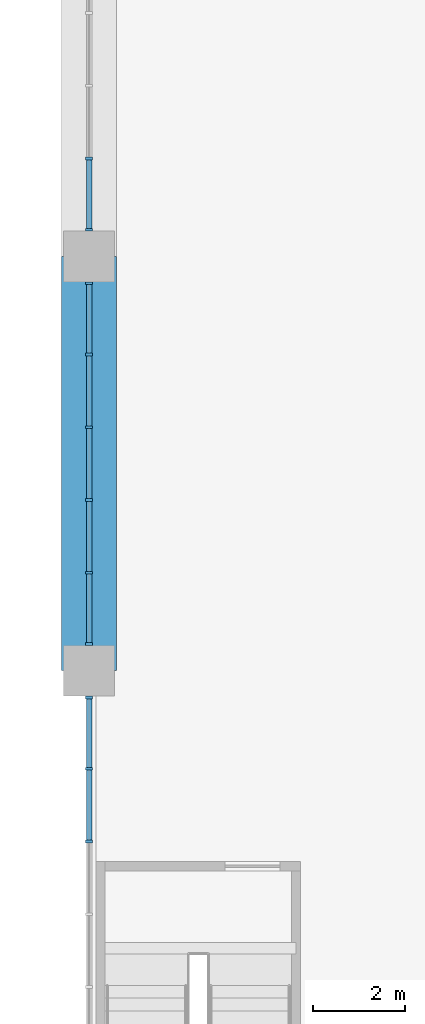
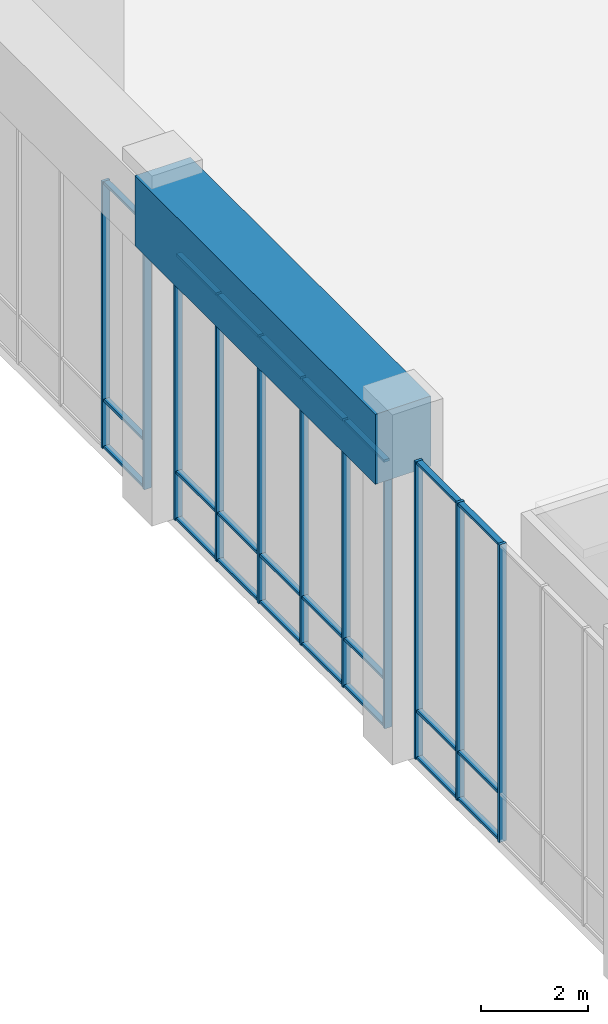
# One storey, part 4 of 26: 35 members, 1 beam, 3 elements without a shape of their own.
"""IFC4 building model written with IfcOpenShell, lengths in metres."""

from ifc_helpers import new_model, si_unit, direction, frame, origin, origin_2d, place, context, subcontext, project, spatial, rectangle, extrude, material, material_profile, profile_set, type_object, element, aggregate, save


model = new_model("IFC4")

# Units and contexts
model_context = context("Model", 3, precision=1e-05, world=origin(), true_north=direction((0.0, 1.0)))
body_context = subcontext(model_context, "Body", "Model", "MODEL_VIEW")
ifc_project = project(units=[si_unit("LENGTHUNIT", "METRE"), si_unit("AREAUNIT", "SQUARE_METRE"), si_unit("VOLUMEUNIT", "CUBIC_METRE"), si_unit("PLANEANGLEUNIT", "RADIAN"), si_unit("MASSUNIT", "GRAM", prefix="KILO")], contexts=[model_context])

# Site, building, storey
site_placement = place(None, origin())
site = spatial("IfcSite", under=ifc_project, at=site_placement, CompositionType="ELEMENT")
building_placement = place(site_placement, origin())
building = spatial("IfcBuilding", under=site, at=building_placement, Name="Kilele Tower Hotel", CompositionType="ELEMENT")
storey_placement = place(building_placement, frame((0.0, 0.0, 11.0)))
storey = spatial("IfcBuildingStorey", under=building, at=storey_placement, Name="L02", CompositionType="ELEMENT", Elevation=11.0)

# Beam
ifc_material_1 = material(Name="Concrete C60/75", Category="concrete")
ifc_material_profile_1 = material_profile(ifc_material_1, rectangle(XDim=1.199951171875, YDim=1.60009765625, at=origin_2d()))
ifc_profile_set_1 = profile_set([ifc_material_profile_1], Name="Concrete C60/75")
beam_type = type_object("IfcBeamType", Name="Beam RC 1200x1600 C60/75", PredefinedType="BEAM", material=ifc_profile_set_1)
beam_placement = place(storey_placement, frame((-18.0, 13.5, 6.89990234375), z_axis=(0.0, 1.0, 0.0), x_axis=(-1.0, 0.0, 0.0)))
element("IfcBeam", 1, at=beam_placement, inside=storey, type_object=beam_type, Name="Beam PB2 level L03", PredefinedType="BEAM", context=body_context, shape_type="SweptSolid", body=[
    extrude(rectangle(XDim=1.199951171875, YDim=1.60009765625, at=origin_2d()), origin(), (0.0, 0.0, 1.0), 9.0),
])

# Curtain wall, members
ifc_material_2 = material(Name="Aluminium curtain wall, clear double glazing", Category="aluminium")
curtain_wall_type = type_object("IfcCurtainWallType", Name="Podium side curtain wall CW-2", PredefinedType="NOTDEFINED", material=ifc_material_2)
curtain_wall_1_placement = place(storey_placement, origin())
curtain_wall_1 = element("IfcCurtainWall", 2, at=curtain_wall_1_placement, inside=storey, type_object=curtain_wall_type, Name="Podium side curtain wall CW-2 L02", PredefinedType="NOTDEFINED")
ifc_material_3 = material(Name="Aluminium EN AW-6063 T6", Category="aluminium")
ifc_material_profile_2 = material_profile(ifc_material_3, rectangle(XDim=0.159912109375, YDim=0.06005859375, at=origin_2d()))
ifc_profile_set_2 = profile_set([ifc_material_profile_2], Name="Aluminium EN AW-6063 T6")
member_type_1 = type_object("IfcMemberType", Name="Mullion 60x160 CW-2", PredefinedType="MULLION", material=ifc_profile_set_2)
member_1_placement = place(storey_placement, frame((-18.0, 24.6298828125, 0.0), z_axis=(0.0, 0.0, 1.0), x_axis=(1.0, 0.0, 0.0)))
member_1 = element("IfcMember", 3, at=member_1_placement, type_object=member_type_1, Name="CW-2 mullion 5", PredefinedType="MULLION", context=body_context, shape_type="SweptSolid", body=[
    extrude(rectangle(XDim=0.159912109375, YDim=0.06005859375, at=origin_2d()), origin(), (0.0, 0.0, 1.0), 6.10009765625),
])
member_2_placement = place(storey_placement, frame((-18.0, 23.080078125, 0.0), z_axis=(0.0, 0.0, 1.0), x_axis=(1.0, 0.0, 0.0)))
member_2 = element("IfcMember", 4, at=member_2_placement, type_object=member_type_1, Name="CW-2 mullion 6", PredefinedType="MULLION", context=body_context, shape_type="SweptSolid", body=[
    extrude(rectangle(XDim=0.159912109375, YDim=0.06005859375, at=origin_2d()), origin(), (0.0, 0.0, 1.0), 6.10009765625),
])

curtain_wall_2_placement = place(storey_placement, origin())
curtain_wall_2 = element("IfcCurtainWall", 5, at=curtain_wall_2_placement, inside=storey, type_object=curtain_wall_type, Name="Podium side curtain wall CW-2 L02", PredefinedType="NOTDEFINED")
member_3_placement = place(storey_placement, frame((-18.0, 21.919921875, 0.0), z_axis=(0.0, 0.0, 1.0), x_axis=(1.0, 0.0, 0.0)))
member_3 = element("IfcMember", 6, at=member_3_placement, type_object=member_type_1, Name="CW-2 mullion 1", PredefinedType="MULLION", context=body_context, shape_type="SweptSolid", body=[
    extrude(rectangle(XDim=0.159912109375, YDim=0.06005859375, at=origin_2d()), origin(), (0.0, 0.0, 1.0), 6.10009765625),
])
member_4_placement = place(storey_placement, frame((-18.0, 20.3701171875, 0.0), z_axis=(0.0, 0.0, 1.0), x_axis=(1.0, 0.0, 0.0)))
member_4 = element("IfcMember", 7, at=member_4_placement, type_object=member_type_1, Name="CW-2 mullion 2", PredefinedType="MULLION", context=body_context, shape_type="SweptSolid", body=[
    extrude(rectangle(XDim=0.159912109375, YDim=0.06005859375, at=origin_2d()), origin(), (0.0, 0.0, 1.0), 6.10009765625),
])
member_5_placement = place(storey_placement, frame((-18.0, 18.7900390625, 0.0), z_axis=(0.0, 0.0, 1.0), x_axis=(1.0, 0.0, 0.0)))
member_5 = element("IfcMember", 8, at=member_5_placement, type_object=member_type_1, Name="CW-2 mullion 3", PredefinedType="MULLION", context=body_context, shape_type="SweptSolid", body=[
    extrude(rectangle(XDim=0.159912109375, YDim=0.06005859375, at=origin_2d()), origin(), (0.0, 0.0, 1.0), 6.10009765625),
])
member_6_placement = place(storey_placement, frame((-18.0, 17.2099609375, 0.0), z_axis=(0.0, 0.0, 1.0), x_axis=(1.0, 0.0, 0.0)))
member_6 = element("IfcMember", 9, at=member_6_placement, type_object=member_type_1, Name="CW-2 mullion 4", PredefinedType="MULLION", context=body_context, shape_type="SweptSolid", body=[
    extrude(rectangle(XDim=0.159912109375, YDim=0.06005859375, at=origin_2d()), origin(), (0.0, 0.0, 1.0), 6.10009765625),
])
member_7_placement = place(storey_placement, frame((-18.0, 15.6298828125, 0.0), z_axis=(0.0, 0.0, 1.0), x_axis=(1.0, 0.0, 0.0)))
member_7 = element("IfcMember", 10, at=member_7_placement, type_object=member_type_1, Name="CW-2 mullion 5", PredefinedType="MULLION", context=body_context, shape_type="SweptSolid", body=[
    extrude(rectangle(XDim=0.159912109375, YDim=0.06005859375, at=origin_2d()), origin(), (0.0, 0.0, 1.0), 6.10009765625),
])
member_8_placement = place(storey_placement, frame((-18.0, 14.080078125, 0.0), z_axis=(0.0, 0.0, 1.0), x_axis=(1.0, 0.0, 0.0)))
member_8 = element("IfcMember", 11, at=member_8_placement, type_object=member_type_1, Name="CW-2 mullion 6", PredefinedType="MULLION", context=body_context, shape_type="SweptSolid", body=[
    extrude(rectangle(XDim=0.159912109375, YDim=0.06005859375, at=origin_2d()), origin(), (0.0, 0.0, 1.0), 6.10009765625),
])

curtain_wall_3_placement = place(storey_placement, origin())
curtain_wall_3 = element("IfcCurtainWall", 12, at=curtain_wall_3_placement, inside=storey, type_object=curtain_wall_type, Name="Podium side curtain wall CW-2 L02", PredefinedType="NOTDEFINED")
member_9_placement = place(storey_placement, frame((-18.0, 12.919921875, 0.0), z_axis=(0.0, 0.0, 1.0), x_axis=(1.0, 0.0, 0.0)))
member_9 = element("IfcMember", 13, at=member_9_placement, type_object=member_type_1, Name="CW-2 mullion 1", PredefinedType="MULLION", context=body_context, shape_type="SweptSolid", body=[
    extrude(rectangle(XDim=0.159912109375, YDim=0.06005859375, at=origin_2d()), origin(), (0.0, 0.0, 1.0), 6.800048828125),
])
member_10_placement = place(storey_placement, frame((-18.0, 11.3701171875, 0.0), z_axis=(0.0, 0.0, 1.0), x_axis=(1.0, 0.0, 0.0)))
member_10 = element("IfcMember", 14, at=member_10_placement, type_object=member_type_1, Name="CW-2 mullion 2", PredefinedType="MULLION", context=body_context, shape_type="SweptSolid", body=[
    extrude(rectangle(XDim=0.159912109375, YDim=0.06005859375, at=origin_2d()), origin(), (0.0, 0.0, 1.0), 6.800048828125),
])
member_11_placement = place(storey_placement, frame((-18.0, 9.7900390625, 0.0), z_axis=(0.0, 0.0, 1.0), x_axis=(1.0, 0.0, 0.0)))
member_11 = element("IfcMember", 15, at=member_11_placement, type_object=member_type_1, Name="CW-2 mullion 3", PredefinedType="MULLION", context=body_context, shape_type="SweptSolid", body=[
    extrude(rectangle(XDim=0.159912109375, YDim=0.06005859375, at=origin_2d()), origin(), (0.0, 0.0, 1.0), 6.800048828125),
])

# Member
ifc_material_4 = material(Name="Aluminium EN AW-6063 T6", Category="aluminium")
ifc_material_profile_3 = material_profile(ifc_material_4, rectangle(XDim=0.1201171875, YDim=0.06005859375, at=origin_2d()))
ifc_profile_set_3 = profile_set([ifc_material_profile_3], Name="Aluminium EN AW-6063 T6")
member_type_2 = type_object("IfcMemberType", Name="Transom 60x120 CW-2", PredefinedType="USERDEFINED", material=ifc_profile_set_3)
member_12_placement = place(storey_placement, frame((-18.0, 24.60009765625, 0.030029296875), z_axis=(0.0, -1.0, 0.0), x_axis=(1.0, 0.0, 0.0)))
member_12 = element("IfcMember", 16, at=member_12_placement, type_object=member_type_2, Name="CW-2 transom 5.1", ObjectType="TRANSOM", PredefinedType="USERDEFINED", context=body_context, shape_type="SweptSolid", body=[
    extrude(rectangle(XDim=0.1201171875, YDim=0.06005859375, at=origin_2d()), origin(), (0.0, 0.0, 1.0), 1.489990234375),
])

member_13_placement = place(storey_placement, frame((-18.0, 24.60009765625, 1.10009765625), z_axis=(0.0, -1.0, 0.0), x_axis=(1.0, 0.0, 0.0)))
member_13 = element("IfcMember", 17, at=member_13_placement, type_object=member_type_2, Name="CW-2 transom 5.2", ObjectType="TRANSOM", PredefinedType="USERDEFINED", context=body_context, shape_type="SweptSolid", body=[
    extrude(rectangle(XDim=0.1201171875, YDim=0.06005859375, at=origin_2d()), origin(), (0.0, 0.0, 1.0), 1.489990234375),
])

member_14_placement = place(storey_placement, frame((-18.0, 24.60009765625, 6.070068359375), z_axis=(0.0, -1.0, 0.0), x_axis=(1.0, 0.0, 0.0)))
member_14 = element("IfcMember", 18, at=member_14_placement, type_object=member_type_2, Name="CW-2 transom 5.3", ObjectType="TRANSOM", PredefinedType="USERDEFINED", context=body_context, shape_type="SweptSolid", body=[
    extrude(rectangle(XDim=0.1201171875, YDim=0.06005859375, at=origin_2d()), origin(), (0.0, 0.0, 1.0), 1.489990234375),
])

aggregate(curtain_wall_1, [member_1, member_2, member_12, member_13, member_14])

member_15_placement = place(storey_placement, frame((-18.0, 21.889892578125, 0.030029296875), z_axis=(0.0, -1.0, 0.0), x_axis=(1.0, 0.0, 0.0)))
member_15 = element("IfcMember", 19, at=member_15_placement, type_object=member_type_2, Name="CW-2 transom 1.1", ObjectType="TRANSOM", PredefinedType="USERDEFINED", context=body_context, shape_type="SweptSolid", body=[
    extrude(rectangle(XDim=0.1201171875, YDim=0.06005859375, at=origin_2d()), origin(), (0.0, 0.0, 1.0), 1.489990234375),
])

member_16_placement = place(storey_placement, frame((-18.0, 21.889892578125, 1.10009765625), z_axis=(0.0, -1.0, 0.0), x_axis=(1.0, 0.0, 0.0)))
member_16 = element("IfcMember", 20, at=member_16_placement, type_object=member_type_2, Name="CW-2 transom 1.2", ObjectType="TRANSOM", PredefinedType="USERDEFINED", context=body_context, shape_type="SweptSolid", body=[
    extrude(rectangle(XDim=0.1201171875, YDim=0.06005859375, at=origin_2d()), origin(), (0.0, 0.0, 1.0), 1.489990234375),
])

member_17_placement = place(storey_placement, frame((-18.0, 21.889892578125, 6.070068359375), z_axis=(0.0, -1.0, 0.0), x_axis=(1.0, 0.0, 0.0)))
member_17 = element("IfcMember", 21, at=member_17_placement, type_object=member_type_2, Name="CW-2 transom 1.3", ObjectType="TRANSOM", PredefinedType="USERDEFINED", context=body_context, shape_type="SweptSolid", body=[
    extrude(rectangle(XDim=0.1201171875, YDim=0.06005859375, at=origin_2d()), origin(), (0.0, 0.0, 1.0), 1.489990234375),
])

member_18_placement = place(storey_placement, frame((-18.0, 20.340087890625, 0.030029296875), z_axis=(0.0, -1.0, 0.0), x_axis=(1.0, 0.0, 0.0)))
member_18 = element("IfcMember", 22, at=member_18_placement, type_object=member_type_2, Name="CW-2 transom 2.1", ObjectType="TRANSOM", PredefinedType="USERDEFINED", context=body_context, shape_type="SweptSolid", body=[
    extrude(rectangle(XDim=0.1201171875, YDim=0.06005859375, at=origin_2d()), origin(), (0.0, 0.0, 1.0), 1.52001953125),
])

member_19_placement = place(storey_placement, frame((-18.0, 20.340087890625, 1.10009765625), z_axis=(0.0, -1.0, 0.0), x_axis=(1.0, 0.0, 0.0)))
member_19 = element("IfcMember", 23, at=member_19_placement, type_object=member_type_2, Name="CW-2 transom 2.2", ObjectType="TRANSOM", PredefinedType="USERDEFINED", context=body_context, shape_type="SweptSolid", body=[
    extrude(rectangle(XDim=0.1201171875, YDim=0.06005859375, at=origin_2d()), origin(), (0.0, 0.0, 1.0), 1.52001953125),
])

member_20_placement = place(storey_placement, frame((-18.0, 20.340087890625, 6.070068359375), z_axis=(0.0, -1.0, 0.0), x_axis=(1.0, 0.0, 0.0)))
member_20 = element("IfcMember", 24, at=member_20_placement, type_object=member_type_2, Name="CW-2 transom 2.3", ObjectType="TRANSOM", PredefinedType="USERDEFINED", context=body_context, shape_type="SweptSolid", body=[
    extrude(rectangle(XDim=0.1201171875, YDim=0.06005859375, at=origin_2d()), origin(), (0.0, 0.0, 1.0), 1.52001953125),
])

member_21_placement = place(storey_placement, frame((-18.0, 18.760009765625, 0.030029296875), z_axis=(0.0, -1.0, 0.0), x_axis=(1.0, 0.0, 0.0)))
member_21 = element("IfcMember", 25, at=member_21_placement, type_object=member_type_2, Name="CW-2 transom 3.1", ObjectType="TRANSOM", PredefinedType="USERDEFINED", context=body_context, shape_type="SweptSolid", body=[
    extrude(rectangle(XDim=0.1201171875, YDim=0.06005859375, at=origin_2d()), origin(), (0.0, 0.0, 1.0), 1.52001953125),
])

member_22_placement = place(storey_placement, frame((-18.0, 18.760009765625, 1.10009765625), z_axis=(0.0, -1.0, 0.0), x_axis=(1.0, 0.0, 0.0)))
member_22 = element("IfcMember", 26, at=member_22_placement, type_object=member_type_2, Name="CW-2 transom 3.2", ObjectType="TRANSOM", PredefinedType="USERDEFINED", context=body_context, shape_type="SweptSolid", body=[
    extrude(rectangle(XDim=0.1201171875, YDim=0.06005859375, at=origin_2d()), origin(), (0.0, 0.0, 1.0), 1.52001953125),
])

member_23_placement = place(storey_placement, frame((-18.0, 18.760009765625, 6.070068359375), z_axis=(0.0, -1.0, 0.0), x_axis=(1.0, 0.0, 0.0)))
member_23 = element("IfcMember", 27, at=member_23_placement, type_object=member_type_2, Name="CW-2 transom 3.3", ObjectType="TRANSOM", PredefinedType="USERDEFINED", context=body_context, shape_type="SweptSolid", body=[
    extrude(rectangle(XDim=0.1201171875, YDim=0.06005859375, at=origin_2d()), origin(), (0.0, 0.0, 1.0), 1.52001953125),
])

member_24_placement = place(storey_placement, frame((-18.0, 17.179931640625, 0.030029296875), z_axis=(0.0, -1.0, 0.0), x_axis=(1.0, 0.0, 0.0)))
member_24 = element("IfcMember", 28, at=member_24_placement, type_object=member_type_2, Name="CW-2 transom 4.1", ObjectType="TRANSOM", PredefinedType="USERDEFINED", context=body_context, shape_type="SweptSolid", body=[
    extrude(rectangle(XDim=0.1201171875, YDim=0.06005859375, at=origin_2d()), origin(), (0.0, 0.0, 1.0), 1.52001953125),
])

member_25_placement = place(storey_placement, frame((-18.0, 17.179931640625, 1.10009765625), z_axis=(0.0, -1.0, 0.0), x_axis=(1.0, 0.0, 0.0)))
member_25 = element("IfcMember", 29, at=member_25_placement, type_object=member_type_2, Name="CW-2 transom 4.2", ObjectType="TRANSOM", PredefinedType="USERDEFINED", context=body_context, shape_type="SweptSolid", body=[
    extrude(rectangle(XDim=0.1201171875, YDim=0.06005859375, at=origin_2d()), origin(), (0.0, 0.0, 1.0), 1.52001953125),
])

member_26_placement = place(storey_placement, frame((-18.0, 17.179931640625, 6.070068359375), z_axis=(0.0, -1.0, 0.0), x_axis=(1.0, 0.0, 0.0)))
member_26 = element("IfcMember", 30, at=member_26_placement, type_object=member_type_2, Name="CW-2 transom 4.3", ObjectType="TRANSOM", PredefinedType="USERDEFINED", context=body_context, shape_type="SweptSolid", body=[
    extrude(rectangle(XDim=0.1201171875, YDim=0.06005859375, at=origin_2d()), origin(), (0.0, 0.0, 1.0), 1.52001953125),
])

member_27_placement = place(storey_placement, frame((-18.0, 15.60009765625, 0.030029296875), z_axis=(0.0, -1.0, 0.0), x_axis=(1.0, 0.0, 0.0)))
member_27 = element("IfcMember", 31, at=member_27_placement, type_object=member_type_2, Name="CW-2 transom 5.1", ObjectType="TRANSOM", PredefinedType="USERDEFINED", context=body_context, shape_type="SweptSolid", body=[
    extrude(rectangle(XDim=0.1201171875, YDim=0.06005859375, at=origin_2d()), origin(), (0.0, 0.0, 1.0), 1.489990234375),
])

member_28_placement = place(storey_placement, frame((-18.0, 15.60009765625, 1.10009765625), z_axis=(0.0, -1.0, 0.0), x_axis=(1.0, 0.0, 0.0)))
member_28 = element("IfcMember", 32, at=member_28_placement, type_object=member_type_2, Name="CW-2 transom 5.2", ObjectType="TRANSOM", PredefinedType="USERDEFINED", context=body_context, shape_type="SweptSolid", body=[
    extrude(rectangle(XDim=0.1201171875, YDim=0.06005859375, at=origin_2d()), origin(), (0.0, 0.0, 1.0), 1.489990234375),
])

member_29_placement = place(storey_placement, frame((-18.0, 15.60009765625, 6.070068359375), z_axis=(0.0, -1.0, 0.0), x_axis=(1.0, 0.0, 0.0)))
member_29 = element("IfcMember", 33, at=member_29_placement, type_object=member_type_2, Name="CW-2 transom 5.3", ObjectType="TRANSOM", PredefinedType="USERDEFINED", context=body_context, shape_type="SweptSolid", body=[
    extrude(rectangle(XDim=0.1201171875, YDim=0.06005859375, at=origin_2d()), origin(), (0.0, 0.0, 1.0), 1.489990234375),
])

aggregate(curtain_wall_2, [member_3, member_4, member_5, member_6, member_7, member_8, member_15, member_16, member_17, member_18, member_19, member_20, member_21, member_22, member_23, member_24, member_25, member_26, member_27, member_28, member_29])

member_30_placement = place(storey_placement, frame((-18.0, 12.889892578125, 0.030029296875), z_axis=(0.0, -1.0, 0.0), x_axis=(1.0, 0.0, 0.0)))
member_30 = element("IfcMember", 34, at=member_30_placement, type_object=member_type_2, Name="CW-2 transom 1.1", ObjectType="TRANSOM", PredefinedType="USERDEFINED", context=body_context, shape_type="SweptSolid", body=[
    extrude(rectangle(XDim=0.1201171875, YDim=0.06005859375, at=origin_2d()), origin(), (0.0, 0.0, 1.0), 1.489990234375),
])

member_31_placement = place(storey_placement, frame((-18.0, 12.889892578125, 1.10009765625), z_axis=(0.0, -1.0, 0.0), x_axis=(1.0, 0.0, 0.0)))
member_31 = element("IfcMember", 35, at=member_31_placement, type_object=member_type_2, Name="CW-2 transom 1.2", ObjectType="TRANSOM", PredefinedType="USERDEFINED", context=body_context, shape_type="SweptSolid", body=[
    extrude(rectangle(XDim=0.1201171875, YDim=0.06005859375, at=origin_2d()), origin(), (0.0, 0.0, 1.0), 1.489990234375),
])

member_32_placement = place(storey_placement, frame((-18.0, 12.889892578125, 6.77001953125), z_axis=(0.0, -1.0, 0.0), x_axis=(1.0, 0.0, 0.0)))
member_32 = element("IfcMember", 36, at=member_32_placement, type_object=member_type_2, Name="CW-2 transom 1.3", ObjectType="TRANSOM", PredefinedType="USERDEFINED", context=body_context, shape_type="SweptSolid", body=[
    extrude(rectangle(XDim=0.1201171875, YDim=0.06005859375, at=origin_2d()), origin(), (0.0, 0.0, 1.0), 1.489990234375),
])

member_33_placement = place(storey_placement, frame((-18.0, 11.340087890625, 0.030029296875), z_axis=(0.0, -1.0, 0.0), x_axis=(1.0, 0.0, 0.0)))
member_33 = element("IfcMember", 37, at=member_33_placement, type_object=member_type_2, Name="CW-2 transom 2.1", ObjectType="TRANSOM", PredefinedType="USERDEFINED", context=body_context, shape_type="SweptSolid", body=[
    extrude(rectangle(XDim=0.1201171875, YDim=0.06005859375, at=origin_2d()), origin(), (0.0, 0.0, 1.0), 1.52001953125),
])

member_34_placement = place(storey_placement, frame((-18.0, 11.340087890625, 1.10009765625), z_axis=(0.0, -1.0, 0.0), x_axis=(1.0, 0.0, 0.0)))
member_34 = element("IfcMember", 38, at=member_34_placement, type_object=member_type_2, Name="CW-2 transom 2.2", ObjectType="TRANSOM", PredefinedType="USERDEFINED", context=body_context, shape_type="SweptSolid", body=[
    extrude(rectangle(XDim=0.1201171875, YDim=0.06005859375, at=origin_2d()), origin(), (0.0, 0.0, 1.0), 1.52001953125),
])

member_35_placement = place(storey_placement, frame((-18.0, 11.340087890625, 6.77001953125), z_axis=(0.0, -1.0, 0.0), x_axis=(1.0, 0.0, 0.0)))
member_35 = element("IfcMember", 39, at=member_35_placement, type_object=member_type_2, Name="CW-2 transom 2.3", ObjectType="TRANSOM", PredefinedType="USERDEFINED", context=body_context, shape_type="SweptSolid", body=[
    extrude(rectangle(XDim=0.1201171875, YDim=0.06005859375, at=origin_2d()), origin(), (0.0, 0.0, 1.0), 1.52001953125),
])

aggregate(curtain_wall_3, [member_9, member_10, member_11, member_30, member_31, member_32, member_33, member_34, member_35])

save(model, "model.ifc")
